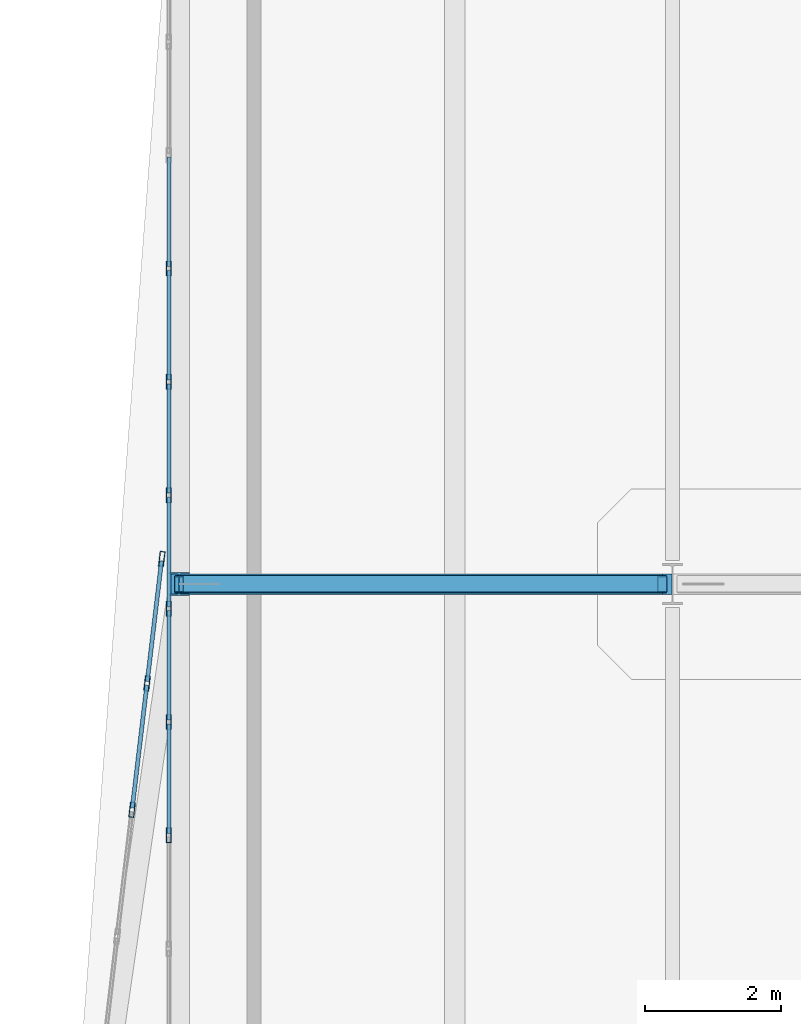
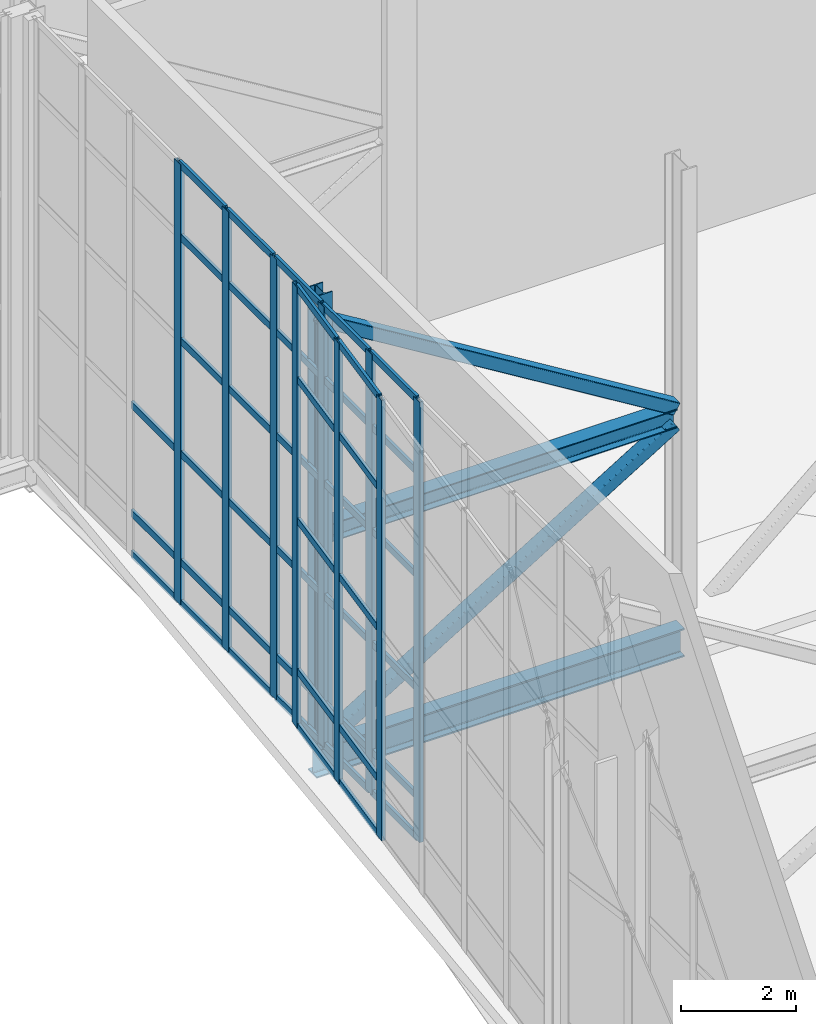
# One storey, part 25 of 100: 55 members, 2 beams, 2 elements without a shape of their own.
"""IFC4 building model written with IfcOpenShell, lengths in metres."""

from ifc_helpers import new_model, si_unit, direction, frame, origin, origin_2d, place, context, subcontext, project, spatial, hollow_rectangle, i_section, extrude, material, layer, layer_set, material_profile, profile_set, type_object, element, aggregate, save


model = new_model("IFC4")

# Units and contexts
model_context = context("Model", 3, precision=1e-05, world=origin(), true_north=direction((0.0, 1.0)))
body_context = subcontext(model_context, "Body", "Model", "MODEL_VIEW")
ifc_project = project(units=[si_unit("LENGTHUNIT", "METRE"), si_unit("AREAUNIT", "SQUARE_METRE"), si_unit("VOLUMEUNIT", "CUBIC_METRE"), si_unit("PLANEANGLEUNIT", "RADIAN"), si_unit("MASSUNIT", "GRAM", prefix="KILO")], contexts=[model_context])

# Site, building, storey
site_placement = place(None, origin())
site = spatial("IfcSite", under=ifc_project, at=site_placement, CompositionType="ELEMENT")
building_placement = place(site_placement, origin())
building = spatial("IfcBuilding", under=site, at=building_placement, Name="Tasgan Crest Museum", CompositionType="ELEMENT")
storey_placement = place(building_placement, frame((0.0, 0.0, 14.39990234375)))
storey = spatial("IfcBuildingStorey", under=building, at=storey_placement, Name="L03", CompositionType="ELEMENT", Elevation=14.39990234375)

# Beams
ifc_material_1 = material(Name="Steel S355K2", Category="steel")
ifc_material_profile_1 = material_profile(ifc_material_1, i_section(OverallWidth=0.300048828125, OverallDepth=0.60009765625, WebThickness=0.015380859375, FlangeThickness=0.030029296875, FilletRadius=0.027099609375, at=origin_2d()), Name="HEB 600")
ifc_profile_set_1 = profile_set([ifc_material_profile_1], Name="Steel S355K2")
beam_type_1 = type_object("IfcBeamType", Name="BM-CANT-G1", PredefinedType="BEAM", material=ifc_profile_set_1)
beam_1_placement = place(storey_placement, frame((3.39990234375, 72.0, -0.559814453125), z_axis=(1.0, 0.0, 0.0), x_axis=(0.0, 1.0, 0.0)))
element("IfcBeam", 1, at=beam_1_placement, inside=storey, type_object=beam_type_1, Name="Cantilever transfer girder MID H", PredefinedType="BEAM", context=body_context, shape_type="SweptSolid", body=[
    extrude(i_section(OverallWidth=0.300048828125, OverallDepth=0.60009765625, WebThickness=0.015380859375, FlangeThickness=0.030029296875, FilletRadius=0.027099609375, at=origin_2d()), origin(), (0.0, 0.0, 1.0), 7.3935546875),
])
ifc_material_2 = material(Name="Steel S355J2", Category="steel")
ifc_material_profile_2 = material_profile(ifc_material_2, i_section(OverallWidth=0.300048828125, OverallDepth=0.389892578125, WebThickness=0.010986328125, FlangeThickness=0.01904296875, FilletRadius=0.027099609375, at=origin_2d()), Name="HEA 400")
ifc_profile_set_2 = profile_set([ifc_material_profile_2], Name="Steel S355J2")
beam_type_2 = type_object("IfcBeamType", Name="BM-G-HEA400", PredefinedType="BEAM", material=ifc_profile_set_2)
beam_2_placement = place(storey_placement, frame((3.550048828125, 72.0, 4.25), z_axis=(1.0, 0.0, 0.0), x_axis=(0.0, 1.0, 0.0)))
element("IfcBeam", 2, at=beam_2_placement, inside=storey, type_object=beam_type_2, Name="Cantilever mid-height chord H", PredefinedType="BEAM", context=body_context, shape_type="SweptSolid", body=[
    extrude(i_section(OverallWidth=0.300048828125, OverallDepth=0.389892578125, WebThickness=0.010986328125, FlangeThickness=0.01904296875, FilletRadius=0.027099609375, at=origin_2d()), origin(), (0.0, 0.0, 1.0), 7.099853515625),
])

# Curtain wall, members
ifc_material_3 = material(Name="Triple-Glazed Aluminium Curtain Wall", Category="aluminium")
ifc_layer = layer(ifc_material_3, 0.179931640625, Name="CW-CANT-TIP-96")
ifc_layer_set = layer_set([ifc_layer], Name="Triple-Glazed Aluminium Curtain Wall")
curtain_wall_type = type_object("IfcCurtainWallType", Name="CW-CANT-TIP-96", PredefinedType="NOTDEFINED", material=ifc_layer_set)
curtain_wall_1_placement = place(storey_placement, origin())
curtain_wall_1 = element("IfcCurtainWall", 3, at=curtain_wall_1_placement, inside=storey, type_object=curtain_wall_type, Name="Curtain wall L03 138", PredefinedType="NOTDEFINED")
ifc_material_4 = material(Name="Anodised Aluminium", Category="aluminium")
ifc_material_profile_3 = material_profile(ifc_material_4, hollow_rectangle(XDim=0.074951171875, YDim=0.219970703125, WallThickness=0.006103515625, at=origin_2d()), Name="ALU MULLION 220x75x6")
ifc_profile_set_3 = profile_set([ifc_material_profile_3], Name="Anodised Aluminium")
member_type_1 = type_object("IfcMemberType", Name="CW-MULLION-220", PredefinedType="MULLION", material=ifc_profile_set_3)
member_1_placement = place(storey_placement, frame((3.39990234375, 76.637451171875, 0.0), z_axis=(0.0, 0.0, 1.0), x_axis=(1.0, 0.0, 0.0)))
member_1 = element("IfcMember", 4, at=member_1_placement, type_object=member_type_1, Name="CW10 mullion 4", PredefinedType="MULLION", context=body_context, shape_type="SweptSolid", body=[
    extrude(hollow_rectangle(XDim=0.074951171875, YDim=0.219970703125, WallThickness=0.006103515625, at=origin_2d()), origin(), (0.0, 0.0, 1.0), 9.360107421875),
])
member_2_placement = place(storey_placement, frame((3.39990234375, 74.9716796875, 0.0), z_axis=(0.0, 0.0, 1.0), x_axis=(1.0, 0.0, 0.0)))
member_2 = element("IfcMember", 5, at=member_2_placement, type_object=member_type_1, Name="CW10 mullion 5", PredefinedType="MULLION", context=body_context, shape_type="SweptSolid", body=[
    extrude(hollow_rectangle(XDim=0.074951171875, YDim=0.219970703125, WallThickness=0.006103515625, at=origin_2d()), origin(), (0.0, 0.0, 1.0), 9.360107421875),
])
member_3_placement = place(storey_placement, frame((3.39990234375, 73.305908203125, 0.0), z_axis=(0.0, 0.0, 1.0), x_axis=(1.0, 0.0, 0.0)))
member_3 = element("IfcMember", 6, at=member_3_placement, type_object=member_type_1, Name="CW10 mullion 6", PredefinedType="MULLION", context=body_context, shape_type="SweptSolid", body=[
    extrude(hollow_rectangle(XDim=0.074951171875, YDim=0.219970703125, WallThickness=0.006103515625, at=origin_2d()), origin(), (0.0, 0.0, 1.0), 9.360107421875),
])
member_4_placement = place(storey_placement, frame((3.39990234375, 71.639892578125, 0.0), z_axis=(0.0, 0.0, 1.0), x_axis=(1.0, 0.0, 0.0)))
member_4 = element("IfcMember", 7, at=member_4_placement, type_object=member_type_1, Name="CW10 mullion 7", PredefinedType="MULLION", context=body_context, shape_type="SweptSolid", body=[
    extrude(hollow_rectangle(XDim=0.074951171875, YDim=0.219970703125, WallThickness=0.006103515625, at=origin_2d()), origin(), (0.0, 0.0, 1.0), 9.360107421875),
])
member_5_placement = place(storey_placement, frame((3.39990234375, 69.97412109375, 0.0), z_axis=(0.0, 0.0, 1.0), x_axis=(1.0, 0.0, 0.0)))
member_5 = element("IfcMember", 8, at=member_5_placement, type_object=member_type_1, Name="CW10 mullion 8", PredefinedType="MULLION", context=body_context, shape_type="SweptSolid", body=[
    extrude(hollow_rectangle(XDim=0.074951171875, YDim=0.219970703125, WallThickness=0.006103515625, at=origin_2d()), origin(), (0.0, 0.0, 1.0), 9.360107421875),
])
member_6_placement = place(storey_placement, frame((3.39990234375, 68.308349609375, 0.0), z_axis=(0.0, 0.0, 1.0), x_axis=(1.0, 0.0, 0.0)))
member_6 = element("IfcMember", 9, at=member_6_placement, type_object=member_type_1, Name="CW10 mullion 9", PredefinedType="MULLION", context=body_context, shape_type="SweptSolid", body=[
    extrude(hollow_rectangle(XDim=0.074951171875, YDim=0.219970703125, WallThickness=0.006103515625, at=origin_2d()), origin(), (0.0, 0.0, 1.0), 9.360107421875),
])

curtain_wall_2_placement = place(storey_placement, origin())
curtain_wall_2 = element("IfcCurtainWall", 10, at=curtain_wall_2_placement, inside=storey, type_object=curtain_wall_type, Name="Cantilevered prow curtain wall L03 PROW-N", PredefinedType="NOTDEFINED")
member_7_placement = place(storey_placement, frame((2.860107421875, 68.683349609375, 0.0), z_axis=(0.0, 0.0, 1.0), x_axis=(-0.993065228329, 0.117564672774, 0.0)))
member_7 = element("IfcMember", 11, at=member_7_placement, type_object=member_type_1, Name="CW10 mullion 5", PredefinedType="MULLION", context=body_context, shape_type="SweptSolid", body=[
    extrude(hollow_rectangle(XDim=0.074951171875, YDim=0.219970703125, WallThickness=0.006103515625, at=origin_2d()), origin(), (0.0, 0.0, 1.0), 9.360107421875),
])
member_8_placement = place(storey_placement, frame((3.080078125, 70.541748046875, 0.0), z_axis=(0.0, 0.0, 1.0), x_axis=(-0.993065228329, 0.117564672774, 0.0)))
member_8 = element("IfcMember", 12, at=member_8_placement, type_object=member_type_1, Name="CW10 mullion 6", PredefinedType="MULLION", context=body_context, shape_type="SweptSolid", body=[
    extrude(hollow_rectangle(XDim=0.074951171875, YDim=0.219970703125, WallThickness=0.006103515625, at=origin_2d()), origin(), (0.0, 0.0, 1.0), 9.360107421875),
])
member_9_placement = place(storey_placement, frame((3.29638671875, 72.3701171875, 0.0), z_axis=(0.0, 0.0, 1.0), x_axis=(-0.993065228329, 0.117564672774, 0.0)))
member_9 = element("IfcMember", 13, at=member_9_placement, type_object=member_type_1, Name="CW10 mullion 7", PredefinedType="MULLION", context=body_context, shape_type="SweptSolid", body=[
    extrude(hollow_rectangle(XDim=0.074951171875, YDim=0.219970703125, WallThickness=0.006103515625, at=origin_2d()), origin(), (0.0, 0.0, 1.0), 9.360107421875),
])

# Member
ifc_material_5 = material(Name="Anodised Aluminium", Category="aluminium")
ifc_material_profile_4 = material_profile(ifc_material_5, hollow_rectangle(XDim=0.06005859375, YDim=0.14990234375, WallThickness=0.0048828125, at=origin_2d()), Name="ALU TRANSOM 150x60x5")
ifc_profile_set_4 = profile_set([ifc_material_profile_4], Name="Anodised Aluminium")
member_type_2 = type_object("IfcMemberType", Name="CW-TRANSOM-150", PredefinedType="USERDEFINED", material=ifc_profile_set_4)
member_10_placement = place(storey_placement, frame((3.39990234375, 78.2734375, 0.030029296875), z_axis=(0.0, -1.0, 0.0), x_axis=(1.0, 0.0, 0.0)))
member_10 = element("IfcMember", 14, at=member_10_placement, type_object=member_type_2, Name="CW10 transom 3.1", ObjectType="TRANSOM", PredefinedType="USERDEFINED", context=body_context, shape_type="SweptSolid", body=[
    extrude(hollow_rectangle(XDim=0.06005859375, YDim=0.14990234375, WallThickness=0.0048828125, at=origin_2d()), origin(), (0.0, 0.0, 1.0), 1.60595703125),
])

member_11_placement = place(storey_placement, frame((3.39990234375, 78.2734375, 0.900146484375), z_axis=(0.0, -1.0, 0.0), x_axis=(1.0, 0.0, 0.0)))
member_11 = element("IfcMember", 15, at=member_11_placement, type_object=member_type_2, Name="CW10 transom 3.2", ObjectType="TRANSOM", PredefinedType="USERDEFINED", context=body_context, shape_type="SweptSolid", body=[
    extrude(hollow_rectangle(XDim=0.06005859375, YDim=0.14990234375, WallThickness=0.0048828125, at=origin_2d()), origin(), (0.0, 0.0, 1.0), 1.60595703125),
])

member_12_placement = place(storey_placement, frame((3.39990234375, 78.2734375, 3.2001953125), z_axis=(0.0, -1.0, 0.0), x_axis=(1.0, 0.0, 0.0)))
member_12 = element("IfcMember", 16, at=member_12_placement, type_object=member_type_2, Name="CW10 transom 3.3", ObjectType="TRANSOM", PredefinedType="USERDEFINED", context=body_context, shape_type="SweptSolid", body=[
    extrude(hollow_rectangle(XDim=0.06005859375, YDim=0.14990234375, WallThickness=0.0048828125, at=origin_2d()), origin(), (0.0, 0.0, 1.0), 1.60595703125),
])

member_13_placement = place(storey_placement, frame((3.39990234375, 76.607421875, 0.030029296875), z_axis=(0.0, -1.0, 0.0), x_axis=(1.0, 0.0, 0.0)))
member_13 = element("IfcMember", 17, at=member_13_placement, type_object=member_type_2, Name="CW10 transom 4.1", ObjectType="TRANSOM", PredefinedType="USERDEFINED", context=body_context, shape_type="SweptSolid", body=[
    extrude(hollow_rectangle(XDim=0.06005859375, YDim=0.14990234375, WallThickness=0.0048828125, at=origin_2d()), origin(), (0.0, 0.0, 1.0), 1.605712890625),
])

member_14_placement = place(storey_placement, frame((3.39990234375, 76.607421875, 0.900146484375), z_axis=(0.0, -1.0, 0.0), x_axis=(1.0, 0.0, 0.0)))
member_14 = element("IfcMember", 18, at=member_14_placement, type_object=member_type_2, Name="CW10 transom 4.2", ObjectType="TRANSOM", PredefinedType="USERDEFINED", context=body_context, shape_type="SweptSolid", body=[
    extrude(hollow_rectangle(XDim=0.06005859375, YDim=0.14990234375, WallThickness=0.0048828125, at=origin_2d()), origin(), (0.0, 0.0, 1.0), 1.605712890625),
])

member_15_placement = place(storey_placement, frame((3.39990234375, 76.607421875, 3.2001953125), z_axis=(0.0, -1.0, 0.0), x_axis=(1.0, 0.0, 0.0)))
member_15 = element("IfcMember", 19, at=member_15_placement, type_object=member_type_2, Name="CW10 transom 4.3", ObjectType="TRANSOM", PredefinedType="USERDEFINED", context=body_context, shape_type="SweptSolid", body=[
    extrude(hollow_rectangle(XDim=0.06005859375, YDim=0.14990234375, WallThickness=0.0048828125, at=origin_2d()), origin(), (0.0, 0.0, 1.0), 1.605712890625),
])

member_16_placement = place(storey_placement, frame((3.39990234375, 76.607421875, 5.60009765625), z_axis=(0.0, -1.0, 0.0), x_axis=(1.0, 0.0, 0.0)))
member_16 = element("IfcMember", 20, at=member_16_placement, type_object=member_type_2, Name="CW10 transom 4.4", ObjectType="TRANSOM", PredefinedType="USERDEFINED", context=body_context, shape_type="SweptSolid", body=[
    extrude(hollow_rectangle(XDim=0.06005859375, YDim=0.14990234375, WallThickness=0.0048828125, at=origin_2d()), origin(), (0.0, 0.0, 1.0), 1.605712890625),
])

member_17_placement = place(storey_placement, frame((3.39990234375, 76.607421875, 7.800048828125), z_axis=(0.0, -1.0, 0.0), x_axis=(1.0, 0.0, 0.0)))
member_17 = element("IfcMember", 21, at=member_17_placement, type_object=member_type_2, Name="CW10 transom 4.5", ObjectType="TRANSOM", PredefinedType="USERDEFINED", context=body_context, shape_type="SweptSolid", body=[
    extrude(hollow_rectangle(XDim=0.06005859375, YDim=0.14990234375, WallThickness=0.0048828125, at=origin_2d()), origin(), (0.0, 0.0, 1.0), 1.605712890625),
])

member_18_placement = place(storey_placement, frame((3.39990234375, 76.607421875, 9.330078125), z_axis=(0.0, -1.0, 0.0), x_axis=(1.0, 0.0, 0.0)))
member_18 = element("IfcMember", 22, at=member_18_placement, type_object=member_type_2, Name="CW10 transom 4.6", ObjectType="TRANSOM", PredefinedType="USERDEFINED", context=body_context, shape_type="SweptSolid", body=[
    extrude(hollow_rectangle(XDim=0.06005859375, YDim=0.14990234375, WallThickness=0.0048828125, at=origin_2d()), origin(), (0.0, 0.0, 1.0), 1.605712890625),
])

member_19_placement = place(storey_placement, frame((3.39990234375, 74.941650390625, 0.030029296875), z_axis=(0.0, -1.0, 0.0), x_axis=(1.0, 0.0, 0.0)))
member_19 = element("IfcMember", 23, at=member_19_placement, type_object=member_type_2, Name="CW10 transom 5.1", ObjectType="TRANSOM", PredefinedType="USERDEFINED", context=body_context, shape_type="SweptSolid", body=[
    extrude(hollow_rectangle(XDim=0.06005859375, YDim=0.14990234375, WallThickness=0.0048828125, at=origin_2d()), origin(), (0.0, 0.0, 1.0), 1.605712890625),
])

member_20_placement = place(storey_placement, frame((3.39990234375, 74.941650390625, 0.900146484375), z_axis=(0.0, -1.0, 0.0), x_axis=(1.0, 0.0, 0.0)))
member_20 = element("IfcMember", 24, at=member_20_placement, type_object=member_type_2, Name="CW10 transom 5.2", ObjectType="TRANSOM", PredefinedType="USERDEFINED", context=body_context, shape_type="SweptSolid", body=[
    extrude(hollow_rectangle(XDim=0.06005859375, YDim=0.14990234375, WallThickness=0.0048828125, at=origin_2d()), origin(), (0.0, 0.0, 1.0), 1.605712890625),
])

member_21_placement = place(storey_placement, frame((3.39990234375, 74.941650390625, 3.2001953125), z_axis=(0.0, -1.0, 0.0), x_axis=(1.0, 0.0, 0.0)))
member_21 = element("IfcMember", 25, at=member_21_placement, type_object=member_type_2, Name="CW10 transom 5.3", ObjectType="TRANSOM", PredefinedType="USERDEFINED", context=body_context, shape_type="SweptSolid", body=[
    extrude(hollow_rectangle(XDim=0.06005859375, YDim=0.14990234375, WallThickness=0.0048828125, at=origin_2d()), origin(), (0.0, 0.0, 1.0), 1.605712890625),
])

member_22_placement = place(storey_placement, frame((3.39990234375, 74.941650390625, 5.60009765625), z_axis=(0.0, -1.0, 0.0), x_axis=(1.0, 0.0, 0.0)))
member_22 = element("IfcMember", 26, at=member_22_placement, type_object=member_type_2, Name="CW10 transom 5.4", ObjectType="TRANSOM", PredefinedType="USERDEFINED", context=body_context, shape_type="SweptSolid", body=[
    extrude(hollow_rectangle(XDim=0.06005859375, YDim=0.14990234375, WallThickness=0.0048828125, at=origin_2d()), origin(), (0.0, 0.0, 1.0), 1.605712890625),
])

member_23_placement = place(storey_placement, frame((3.39990234375, 74.941650390625, 7.800048828125), z_axis=(0.0, -1.0, 0.0), x_axis=(1.0, 0.0, 0.0)))
member_23 = element("IfcMember", 27, at=member_23_placement, type_object=member_type_2, Name="CW10 transom 5.5", ObjectType="TRANSOM", PredefinedType="USERDEFINED", context=body_context, shape_type="SweptSolid", body=[
    extrude(hollow_rectangle(XDim=0.06005859375, YDim=0.14990234375, WallThickness=0.0048828125, at=origin_2d()), origin(), (0.0, 0.0, 1.0), 1.605712890625),
])

member_24_placement = place(storey_placement, frame((3.39990234375, 74.941650390625, 9.330078125), z_axis=(0.0, -1.0, 0.0), x_axis=(1.0, 0.0, 0.0)))
member_24 = element("IfcMember", 28, at=member_24_placement, type_object=member_type_2, Name="CW10 transom 5.6", ObjectType="TRANSOM", PredefinedType="USERDEFINED", context=body_context, shape_type="SweptSolid", body=[
    extrude(hollow_rectangle(XDim=0.06005859375, YDim=0.14990234375, WallThickness=0.0048828125, at=origin_2d()), origin(), (0.0, 0.0, 1.0), 1.605712890625),
])

member_25_placement = place(storey_placement, frame((3.39990234375, 73.27587890625, 0.030029296875), z_axis=(0.0, -1.0, 0.0), x_axis=(1.0, 0.0, 0.0)))
member_25 = element("IfcMember", 29, at=member_25_placement, type_object=member_type_2, Name="CW10 transom 6.1", ObjectType="TRANSOM", PredefinedType="USERDEFINED", context=body_context, shape_type="SweptSolid", body=[
    extrude(hollow_rectangle(XDim=0.06005859375, YDim=0.14990234375, WallThickness=0.0048828125, at=origin_2d()), origin(), (0.0, 0.0, 1.0), 1.60595703125),
])

member_26_placement = place(storey_placement, frame((3.39990234375, 73.27587890625, 0.900146484375), z_axis=(0.0, -1.0, 0.0), x_axis=(1.0, 0.0, 0.0)))
member_26 = element("IfcMember", 30, at=member_26_placement, type_object=member_type_2, Name="CW10 transom 6.2", ObjectType="TRANSOM", PredefinedType="USERDEFINED", context=body_context, shape_type="SweptSolid", body=[
    extrude(hollow_rectangle(XDim=0.06005859375, YDim=0.14990234375, WallThickness=0.0048828125, at=origin_2d()), origin(), (0.0, 0.0, 1.0), 1.60595703125),
])

member_27_placement = place(storey_placement, frame((3.39990234375, 73.27587890625, 3.2001953125), z_axis=(0.0, -1.0, 0.0), x_axis=(1.0, 0.0, 0.0)))
member_27 = element("IfcMember", 31, at=member_27_placement, type_object=member_type_2, Name="CW10 transom 6.3", ObjectType="TRANSOM", PredefinedType="USERDEFINED", context=body_context, shape_type="SweptSolid", body=[
    extrude(hollow_rectangle(XDim=0.06005859375, YDim=0.14990234375, WallThickness=0.0048828125, at=origin_2d()), origin(), (0.0, 0.0, 1.0), 1.60595703125),
])

member_28_placement = place(storey_placement, frame((3.39990234375, 73.27587890625, 5.60009765625), z_axis=(0.0, -1.0, 0.0), x_axis=(1.0, 0.0, 0.0)))
member_28 = element("IfcMember", 32, at=member_28_placement, type_object=member_type_2, Name="CW10 transom 6.4", ObjectType="TRANSOM", PredefinedType="USERDEFINED", context=body_context, shape_type="SweptSolid", body=[
    extrude(hollow_rectangle(XDim=0.06005859375, YDim=0.14990234375, WallThickness=0.0048828125, at=origin_2d()), origin(), (0.0, 0.0, 1.0), 1.60595703125),
])

member_29_placement = place(storey_placement, frame((3.39990234375, 73.27587890625, 7.800048828125), z_axis=(0.0, -1.0, 0.0), x_axis=(1.0, 0.0, 0.0)))
member_29 = element("IfcMember", 33, at=member_29_placement, type_object=member_type_2, Name="CW10 transom 6.5", ObjectType="TRANSOM", PredefinedType="USERDEFINED", context=body_context, shape_type="SweptSolid", body=[
    extrude(hollow_rectangle(XDim=0.06005859375, YDim=0.14990234375, WallThickness=0.0048828125, at=origin_2d()), origin(), (0.0, 0.0, 1.0), 1.60595703125),
])

member_30_placement = place(storey_placement, frame((3.39990234375, 73.27587890625, 9.330078125), z_axis=(0.0, -1.0, 0.0), x_axis=(1.0, 0.0, 0.0)))
member_30 = element("IfcMember", 34, at=member_30_placement, type_object=member_type_2, Name="CW10 transom 6.6", ObjectType="TRANSOM", PredefinedType="USERDEFINED", context=body_context, shape_type="SweptSolid", body=[
    extrude(hollow_rectangle(XDim=0.06005859375, YDim=0.14990234375, WallThickness=0.0048828125, at=origin_2d()), origin(), (0.0, 0.0, 1.0), 1.60595703125),
])

member_31_placement = place(storey_placement, frame((3.39990234375, 71.610107421875, 0.030029296875), z_axis=(0.0, -1.0, 0.0), x_axis=(1.0, 0.0, 0.0)))
member_31 = element("IfcMember", 35, at=member_31_placement, type_object=member_type_2, Name="CW10 transom 7.1", ObjectType="TRANSOM", PredefinedType="USERDEFINED", context=body_context, shape_type="SweptSolid", body=[
    extrude(hollow_rectangle(XDim=0.06005859375, YDim=0.14990234375, WallThickness=0.0048828125, at=origin_2d()), origin(), (0.0, 0.0, 1.0), 1.60595703125),
])

member_32_placement = place(storey_placement, frame((3.39990234375, 71.610107421875, 0.900146484375), z_axis=(0.0, -1.0, 0.0), x_axis=(1.0, 0.0, 0.0)))
member_32 = element("IfcMember", 36, at=member_32_placement, type_object=member_type_2, Name="CW10 transom 7.2", ObjectType="TRANSOM", PredefinedType="USERDEFINED", context=body_context, shape_type="SweptSolid", body=[
    extrude(hollow_rectangle(XDim=0.06005859375, YDim=0.14990234375, WallThickness=0.0048828125, at=origin_2d()), origin(), (0.0, 0.0, 1.0), 1.60595703125),
])

member_33_placement = place(storey_placement, frame((3.39990234375, 71.610107421875, 3.2001953125), z_axis=(0.0, -1.0, 0.0), x_axis=(1.0, 0.0, 0.0)))
member_33 = element("IfcMember", 37, at=member_33_placement, type_object=member_type_2, Name="CW10 transom 7.3", ObjectType="TRANSOM", PredefinedType="USERDEFINED", context=body_context, shape_type="SweptSolid", body=[
    extrude(hollow_rectangle(XDim=0.06005859375, YDim=0.14990234375, WallThickness=0.0048828125, at=origin_2d()), origin(), (0.0, 0.0, 1.0), 1.60595703125),
])

member_34_placement = place(storey_placement, frame((3.39990234375, 71.610107421875, 5.60009765625), z_axis=(0.0, -1.0, 0.0), x_axis=(1.0, 0.0, 0.0)))
member_34 = element("IfcMember", 38, at=member_34_placement, type_object=member_type_2, Name="CW10 transom 7.4", ObjectType="TRANSOM", PredefinedType="USERDEFINED", context=body_context, shape_type="SweptSolid", body=[
    extrude(hollow_rectangle(XDim=0.06005859375, YDim=0.14990234375, WallThickness=0.0048828125, at=origin_2d()), origin(), (0.0, 0.0, 1.0), 1.60595703125),
])

member_35_placement = place(storey_placement, frame((3.39990234375, 71.610107421875, 7.800048828125), z_axis=(0.0, -1.0, 0.0), x_axis=(1.0, 0.0, 0.0)))
member_35 = element("IfcMember", 39, at=member_35_placement, type_object=member_type_2, Name="CW10 transom 7.5", ObjectType="TRANSOM", PredefinedType="USERDEFINED", context=body_context, shape_type="SweptSolid", body=[
    extrude(hollow_rectangle(XDim=0.06005859375, YDim=0.14990234375, WallThickness=0.0048828125, at=origin_2d()), origin(), (0.0, 0.0, 1.0), 1.60595703125),
])

member_36_placement = place(storey_placement, frame((3.39990234375, 71.610107421875, 9.330078125), z_axis=(0.0, -1.0, 0.0), x_axis=(1.0, 0.0, 0.0)))
member_36 = element("IfcMember", 40, at=member_36_placement, type_object=member_type_2, Name="CW10 transom 7.6", ObjectType="TRANSOM", PredefinedType="USERDEFINED", context=body_context, shape_type="SweptSolid", body=[
    extrude(hollow_rectangle(XDim=0.06005859375, YDim=0.14990234375, WallThickness=0.0048828125, at=origin_2d()), origin(), (0.0, 0.0, 1.0), 1.60595703125),
])

member_37_placement = place(storey_placement, frame((3.39990234375, 69.944091796875, 0.030029296875), z_axis=(0.0, -1.0, 0.0), x_axis=(1.0, 0.0, 0.0)))
member_37 = element("IfcMember", 41, at=member_37_placement, type_object=member_type_2, Name="CW10 transom 8.1", ObjectType="TRANSOM", PredefinedType="USERDEFINED", context=body_context, shape_type="SweptSolid", body=[
    extrude(hollow_rectangle(XDim=0.06005859375, YDim=0.14990234375, WallThickness=0.0048828125, at=origin_2d()), origin(), (0.0, 0.0, 1.0), 1.605712890625),
])

member_38_placement = place(storey_placement, frame((3.39990234375, 69.944091796875, 0.900146484375), z_axis=(0.0, -1.0, 0.0), x_axis=(1.0, 0.0, 0.0)))
member_38 = element("IfcMember", 42, at=member_38_placement, type_object=member_type_2, Name="CW10 transom 8.2", ObjectType="TRANSOM", PredefinedType="USERDEFINED", context=body_context, shape_type="SweptSolid", body=[
    extrude(hollow_rectangle(XDim=0.06005859375, YDim=0.14990234375, WallThickness=0.0048828125, at=origin_2d()), origin(), (0.0, 0.0, 1.0), 1.605712890625),
])

member_39_placement = place(storey_placement, frame((3.39990234375, 69.944091796875, 3.2001953125), z_axis=(0.0, -1.0, 0.0), x_axis=(1.0, 0.0, 0.0)))
member_39 = element("IfcMember", 43, at=member_39_placement, type_object=member_type_2, Name="CW10 transom 8.3", ObjectType="TRANSOM", PredefinedType="USERDEFINED", context=body_context, shape_type="SweptSolid", body=[
    extrude(hollow_rectangle(XDim=0.06005859375, YDim=0.14990234375, WallThickness=0.0048828125, at=origin_2d()), origin(), (0.0, 0.0, 1.0), 1.605712890625),
])

member_40_placement = place(storey_placement, frame((3.39990234375, 69.944091796875, 5.60009765625), z_axis=(0.0, -1.0, 0.0), x_axis=(1.0, 0.0, 0.0)))
member_40 = element("IfcMember", 44, at=member_40_placement, type_object=member_type_2, Name="CW10 transom 8.4", ObjectType="TRANSOM", PredefinedType="USERDEFINED", context=body_context, shape_type="SweptSolid", body=[
    extrude(hollow_rectangle(XDim=0.06005859375, YDim=0.14990234375, WallThickness=0.0048828125, at=origin_2d()), origin(), (0.0, 0.0, 1.0), 1.605712890625),
])

member_41_placement = place(storey_placement, frame((3.39990234375, 69.944091796875, 7.800048828125), z_axis=(0.0, -1.0, 0.0), x_axis=(1.0, 0.0, 0.0)))
member_41 = element("IfcMember", 45, at=member_41_placement, type_object=member_type_2, Name="CW10 transom 8.5", ObjectType="TRANSOM", PredefinedType="USERDEFINED", context=body_context, shape_type="SweptSolid", body=[
    extrude(hollow_rectangle(XDim=0.06005859375, YDim=0.14990234375, WallThickness=0.0048828125, at=origin_2d()), origin(), (0.0, 0.0, 1.0), 1.605712890625),
])

member_42_placement = place(storey_placement, frame((3.39990234375, 69.944091796875, 9.330078125), z_axis=(0.0, -1.0, 0.0), x_axis=(1.0, 0.0, 0.0)))
member_42 = element("IfcMember", 46, at=member_42_placement, type_object=member_type_2, Name="CW10 transom 8.6", ObjectType="TRANSOM", PredefinedType="USERDEFINED", context=body_context, shape_type="SweptSolid", body=[
    extrude(hollow_rectangle(XDim=0.06005859375, YDim=0.14990234375, WallThickness=0.0048828125, at=origin_2d()), origin(), (0.0, 0.0, 1.0), 1.605712890625),
])

aggregate(curtain_wall_1, [member_1, member_2, member_3, member_4, member_5, member_6, member_10, member_11, member_12, member_13, member_14, member_15, member_16, member_17, member_18, member_19, member_20, member_21, member_22, member_23, member_24, member_25, member_26, member_27, member_28, member_29, member_30, member_31, member_32, member_33, member_34, member_35, member_36, member_37, member_38, member_39, member_40, member_41, member_42])

member_43_placement = place(storey_placement, frame((2.863525390625, 68.713134765625, 0.030029296875), z_axis=(0.117529386701, 0.993069405058, 0.0), x_axis=(-0.993069405058, 0.117529386701, 0.0)))
member_43 = element("IfcMember", 47, at=member_43_placement, type_object=member_type_2, Name="CW10 transom 5.1", ObjectType="TRANSOM", PredefinedType="USERDEFINED", context=body_context, shape_type="SweptSolid", body=[
    extrude(hollow_rectangle(XDim=0.06005859375, YDim=0.14990234375, WallThickness=0.0048828125, at=origin_2d()), origin(), (0.0, 0.0, 1.0), 1.811279296875),
])

member_44_placement = place(storey_placement, frame((2.863525390625, 68.713134765625, 1.2001953125), z_axis=(0.117529386701, 0.993069405058, 0.0), x_axis=(-0.993069405058, 0.117529386701, 0.0)))
member_44 = element("IfcMember", 48, at=member_44_placement, type_object=member_type_2, Name="CW10 transom 5.2", ObjectType="TRANSOM", PredefinedType="USERDEFINED", context=body_context, shape_type="SweptSolid", body=[
    extrude(hollow_rectangle(XDim=0.06005859375, YDim=0.14990234375, WallThickness=0.0048828125, at=origin_2d()), origin(), (0.0, 0.0, 1.0), 1.811279296875),
])

member_45_placement = place(storey_placement, frame((2.863525390625, 68.713134765625, 4.400146484375), z_axis=(0.117529386701, 0.993069405058, 0.0), x_axis=(-0.993069405058, 0.117529386701, 0.0)))
member_45 = element("IfcMember", 49, at=member_45_placement, type_object=member_type_2, Name="CW10 transom 5.3", ObjectType="TRANSOM", PredefinedType="USERDEFINED", context=body_context, shape_type="SweptSolid", body=[
    extrude(hollow_rectangle(XDim=0.06005859375, YDim=0.14990234375, WallThickness=0.0048828125, at=origin_2d()), origin(), (0.0, 0.0, 1.0), 1.811279296875),
])

member_46_placement = place(storey_placement, frame((2.863525390625, 68.713134765625, 7.400146484375), z_axis=(0.117529386701, 0.993069405058, 0.0), x_axis=(-0.993069405058, 0.117529386701, 0.0)))
member_46 = element("IfcMember", 50, at=member_46_placement, type_object=member_type_2, Name="CW10 transom 5.4", ObjectType="TRANSOM", PredefinedType="USERDEFINED", context=body_context, shape_type="SweptSolid", body=[
    extrude(hollow_rectangle(XDim=0.06005859375, YDim=0.14990234375, WallThickness=0.0048828125, at=origin_2d()), origin(), (0.0, 0.0, 1.0), 1.811279296875),
])

member_47_placement = place(storey_placement, frame((2.863525390625, 68.713134765625, 9.330078125), z_axis=(0.117529386701, 0.993069405058, 0.0), x_axis=(-0.993069405058, 0.117529386701, 0.0)))
member_47 = element("IfcMember", 51, at=member_47_placement, type_object=member_type_2, Name="CW10 transom 5.5", ObjectType="TRANSOM", PredefinedType="USERDEFINED", context=body_context, shape_type="SweptSolid", body=[
    extrude(hollow_rectangle(XDim=0.06005859375, YDim=0.14990234375, WallThickness=0.0048828125, at=origin_2d()), origin(), (0.0, 0.0, 1.0), 1.811279296875),
])

member_48_placement = place(storey_placement, frame((3.08349609375, 70.571533203125, 0.030029296875), z_axis=(0.117604679302, 0.993060491313, 0.0), x_axis=(-0.993060491313, 0.117604679302, 0.0)))
member_48 = element("IfcMember", 52, at=member_48_placement, type_object=member_type_2, Name="CW10 transom 6.1", ObjectType="TRANSOM", PredefinedType="USERDEFINED", context=body_context, shape_type="SweptSolid", body=[
    extrude(hollow_rectangle(XDim=0.06005859375, YDim=0.14990234375, WallThickness=0.0048828125, at=origin_2d()), origin(), (0.0, 0.0, 1.0), 1.78125),
])

member_49_placement = place(storey_placement, frame((3.08349609375, 70.571533203125, 1.2001953125), z_axis=(0.117604679302, 0.993060491313, 0.0), x_axis=(-0.993060491313, 0.117604679302, 0.0)))
member_49 = element("IfcMember", 53, at=member_49_placement, type_object=member_type_2, Name="CW10 transom 6.2", ObjectType="TRANSOM", PredefinedType="USERDEFINED", context=body_context, shape_type="SweptSolid", body=[
    extrude(hollow_rectangle(XDim=0.06005859375, YDim=0.14990234375, WallThickness=0.0048828125, at=origin_2d()), origin(), (0.0, 0.0, 1.0), 1.78125),
])

member_50_placement = place(storey_placement, frame((3.08349609375, 70.571533203125, 4.400146484375), z_axis=(0.117604679302, 0.993060491313, 0.0), x_axis=(-0.993060491313, 0.117604679302, 0.0)))
member_50 = element("IfcMember", 54, at=member_50_placement, type_object=member_type_2, Name="CW10 transom 6.3", ObjectType="TRANSOM", PredefinedType="USERDEFINED", context=body_context, shape_type="SweptSolid", body=[
    extrude(hollow_rectangle(XDim=0.06005859375, YDim=0.14990234375, WallThickness=0.0048828125, at=origin_2d()), origin(), (0.0, 0.0, 1.0), 1.78125),
])

member_51_placement = place(storey_placement, frame((3.08349609375, 70.571533203125, 7.400146484375), z_axis=(0.117604679302, 0.993060491313, 0.0), x_axis=(-0.993060491313, 0.117604679302, 0.0)))
member_51 = element("IfcMember", 55, at=member_51_placement, type_object=member_type_2, Name="CW10 transom 6.4", ObjectType="TRANSOM", PredefinedType="USERDEFINED", context=body_context, shape_type="SweptSolid", body=[
    extrude(hollow_rectangle(XDim=0.06005859375, YDim=0.14990234375, WallThickness=0.0048828125, at=origin_2d()), origin(), (0.0, 0.0, 1.0), 1.78125),
])

member_52_placement = place(storey_placement, frame((3.08349609375, 70.571533203125, 9.330078125), z_axis=(0.117604679302, 0.993060491313, 0.0), x_axis=(-0.993060491313, 0.117604679302, 0.0)))
member_52 = element("IfcMember", 56, at=member_52_placement, type_object=member_type_2, Name="CW10 transom 6.5", ObjectType="TRANSOM", PredefinedType="USERDEFINED", context=body_context, shape_type="SweptSolid", body=[
    extrude(hollow_rectangle(XDim=0.06005859375, YDim=0.14990234375, WallThickness=0.0048828125, at=origin_2d()), origin(), (0.0, 0.0, 1.0), 1.78125),
])

aggregate(curtain_wall_2, [member_7, member_8, member_9, member_43, member_44, member_45, member_46, member_47, member_48, member_49, member_50, member_51, member_52])

# Members
ifc_material_6 = material(Name="Steel S355K2", Category="steel")
ifc_material_profile_5 = material_profile(ifc_material_6, hollow_rectangle(XDim=0.260009765625, YDim=0.260009765625, WallThickness=0.01416015625, InnerFilletRadius=0.01416015625, OuterFilletRadius=0.0283203125, at=origin_2d()), Name="SHS 260x260x14.2")
ifc_profile_set_5 = profile_set([ifc_material_profile_5], Name="Steel S355K2")
member_type_3 = type_object("IfcMemberType", Name="TR-CANT-DIAG", PredefinedType="BRACE", material=ifc_profile_set_5)
for number, where, z_axis, x_axis, name in (
    (57, (3.550048828125, 72.0, -0.27978515625), (0.852690578755, 0.0, 0.52241628698), (0.0, 1.0, 0.0), "Transfer truss diagonal L03 lower H"),
    (58, (10.64990234375, 72.0, 4.43017578125), (-0.852690578755, 0.0, 0.52241628698), (0.0, -1.0, 0.0), "Transfer truss diagonal L03 upper H"),
):
    element("IfcMember", number, at=place(storey_placement, frame(where, z_axis=z_axis, x_axis=x_axis)), inside=storey, type_object=member_type_3, Name=name, PredefinedType="BRACE", context=body_context, shape_type="SweptSolid", body=[
        extrude(hollow_rectangle(XDim=0.260009765625, YDim=0.260009765625, WallThickness=0.01416015625, InnerFilletRadius=0.01416015625, OuterFilletRadius=0.0283203125, at=origin_2d()), origin(), (0.0, 0.0, 1.0), 8.326416015625),
    ])
ifc_material_7 = material(Name="Steel S355K2", Category="steel")
ifc_material_profile_6 = material_profile(ifc_material_7, i_section(OverallWidth=0.300048828125, OverallDepth=0.340087890625, WebThickness=0.011962890625, FlangeThickness=0.021484375, FilletRadius=0.027099609375, at=origin_2d()), Name="HEB 340")
ifc_profile_set_6 = profile_set([ifc_material_profile_6], Name="Steel S355K2")
member_type_4 = type_object("IfcMemberType", Name="TR-CANT-POST", PredefinedType="POST", material=ifc_profile_set_6)
member_53_placement = place(storey_placement, frame((3.550048828125, 72.0, -0.260009765625), z_axis=(0.0, 0.0, 1.0), x_axis=(1.0, 0.0, 0.0)))
element("IfcMember", 59, at=member_53_placement, inside=storey, type_object=member_type_4, Name="Cantilever truss tip post L03 H", PredefinedType="POST", context=body_context, shape_type="SweptSolid", body=[
    extrude(i_section(OverallWidth=0.300048828125, OverallDepth=0.340087890625, WebThickness=0.011962890625, FlangeThickness=0.021484375, FilletRadius=0.027099609375, at=origin_2d()), origin(), (0.0, 0.0, 1.0), 9.66015625),
])

save(model, "model.ifc")
